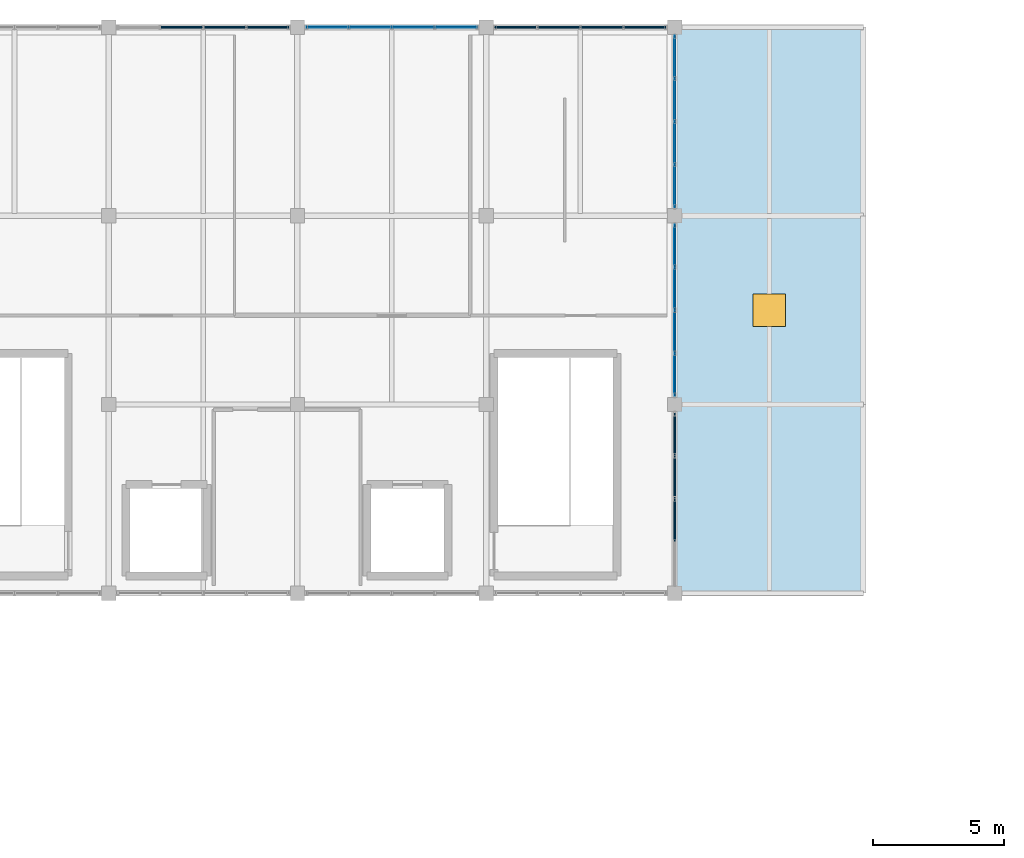
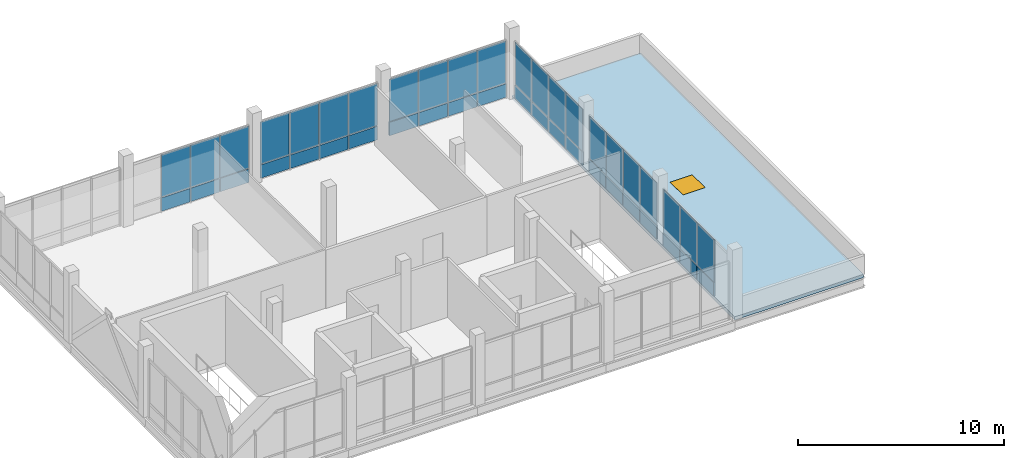
# One storey, part 17 of 28: 44 plates, 1 slab, 1 window, 1 opening, 6 elements without a shape of their own.
"""IFC4 building model written with IfcOpenShell, lengths in metres."""

import ifcopenshell
import ifcopenshell.guid

model = None  # the IFC model being written
_history = None  # IfcOwnerHistory: only IFC2X3 demands one
_inside = {}  # id of a spatial element -> (the spatial element, [elements in it])
_under = {}  # id of a project, library or spatial element -> (it, [spatial elements below it])
_declared = {}  # id of a project -> (the project, [libraries it declares])
_typed = {}  # id of a type object -> (the type object, [elements of that type])
_made_of = {}  # id of a material, layer set ... -> (it, [elements and type objects made of it])


def new_model(schema):
    """Start an empty IFC model of exactly this schema.

    Asked for "IFC4X3", IfcOpenShell would pick the latest addendum, in which some entities
    have other attributes; the version numbers below select the first issue.
    IFC2X3 requires an IfcOwnerHistory on every rooted entity: one is made here for all.
    """
    global model, _history
    if schema == "IFC4X3":
        model = ifcopenshell.file(schema_version=(4, 3, 0, 0))
    else:
        model = ifcopenshell.file(schema=schema)
    _inside.clear()
    _under.clear()
    _declared.clear()
    _typed.clear()
    _made_of.clear()
    _history = None
    if model.schema == "IFC2X3":
        org = make("IfcOrganization", Name="unknown")
        user = make(
            "IfcPersonAndOrganization",
            ThePerson=make("IfcPerson", FamilyName="unknown"),
            TheOrganization=org,
        )
        app = make(
            "IfcApplication",
            ApplicationDeveloper=org,
            Version="unknown",
            ApplicationFullName="unknown",
            ApplicationIdentifier="unknown",
        )
        _history = make(
            "IfcOwnerHistory",
            OwningUser=user,
            OwningApplication=app,
            ChangeAction="ADDED",
            CreationDate=0,
        )
    return model


def make(cls, **values):
    """One entity of the class cls with the attributes given. An attribute that is None is left unset."""
    return model.create_entity(
        cls, **{name: value for name, value in values.items() if value is not None}
    )


def rooted(cls, **values):
    """An entity with a GlobalId (a new one), such as an element, a storey or a relation."""
    return make(cls, GlobalId=ifcopenshell.guid.new(), OwnerHistory=_history, **values)


def si_unit(unit_type, name, prefix=None):
    """IfcSIUnit, for example si_unit("LENGTHUNIT", "METRE", prefix="MILLI")."""
    return make("IfcSIUnit", UnitType=unit_type, Prefix=prefix, Name=name)


def assignment(units):
    """IfcUnitAssignment: the units of a project."""
    return None if units is None else make("IfcUnitAssignment", Units=units)


def point(xyz):
    """IfcCartesianPoint."""
    return None if xyz is None else make("IfcCartesianPoint", Coordinates=xyz)


def direction(xyz):
    """IfcDirection."""
    return None if xyz is None else make("IfcDirection", DirectionRatios=xyz)


def frame(location, z_axis=None, x_axis=None):
    """IfcAxis2Placement3D, a coordinate frame: its origin and axes. An axis left out is left unset."""
    return make(
        "IfcAxis2Placement3D",
        Location=point(location),
        Axis=direction(z_axis),
        RefDirection=direction(x_axis),
    )


def frame_2d(location, x_axis=None):
    """IfcAxis2Placement2D, a coordinate frame in the plane: its origin and x axis."""
    return make(
        "IfcAxis2Placement2D", Location=point(location), RefDirection=direction(x_axis)
    )


def origin():
    """The frame at (0, 0, 0) with its axes left unset."""
    return frame((0.0, 0.0, 0.0))


def origin_2d():
    """The frame at (0, 0) in the plane with its x axis left unset."""
    return frame_2d((0.0, 0.0))


def place(relative_to, where):
    """IfcLocalPlacement: puts the frame where relative to a parent placement (None: the world)."""
    return make(
        "IfcLocalPlacement", PlacementRelTo=relative_to, RelativePlacement=where
    )


def context(
    kind, dimensions, precision=None, world=None, true_north=None, identifier=None
):
    """IfcGeometricRepresentationContext, for example the 3D "Model" context."""
    return make(
        "IfcGeometricRepresentationContext",
        ContextIdentifier=identifier,
        ContextType=kind,
        CoordinateSpaceDimension=dimensions,
        Precision=precision,
        WorldCoordinateSystem=world,
        TrueNorth=true_north,
    )


def subcontext(parent, identifier, kind, view, scale=None):
    """IfcGeometricRepresentationSubContext, for example "Body" below "Model"."""
    return make(
        "IfcGeometricRepresentationSubContext",
        ContextIdentifier=identifier,
        ContextType=kind,
        ParentContext=parent,
        TargetScale=scale,
        TargetView=view,
    )


def project(units=None, contexts=None):
    """IfcProject with its units and contexts."""
    return rooted(
        "IfcProject",
        Name="project",
        RepresentationContexts=contexts,
        UnitsInContext=assignment(units),
    )


def spatial(cls, under=None, at=None, **own):
    """A site, building, storey or space (cls), placed at a placement, below another one or the project."""
    s = rooted(cls, ObjectPlacement=at, **own)
    if under is not None:
        _under.setdefault(under.id(), (under, []))[1].append(s)
    return s


def polyline(points):
    """IfcPolyline through the points."""
    return make("IfcPolyline", Points=[point(p) for p in points])


def profile(cls, at=None, kind="AREA", **sizes):
    """A parametric profile (cls). Its sizes go by their IFC names, for example OverallWidth=200.0."""
    return make(cls, ProfileType=kind, Position=at, **sizes)


def rectangle(**sizes):
    """IfcRectangleProfileDef."""
    return profile("IfcRectangleProfileDef", **sizes)


def outline(outer, holes=None, kind="AREA"):
    """IfcArbitraryClosedProfileDef: a profile drawn as a closed curve; with holes, ...WithVoids."""
    if holes is None:
        return make("IfcArbitraryClosedProfileDef", ProfileType=kind, OuterCurve=outer)
    return make(
        "IfcArbitraryProfileDefWithVoids",
        ProfileType=kind,
        OuterCurve=outer,
        InnerCurves=holes,
    )


def extrude(swept, where, along, depth):
    """IfcExtrudedAreaSolid: the profile swept, set in the frame where, extruded along a direction by depth."""
    return make(
        "IfcExtrudedAreaSolid",
        SweptArea=swept,
        Position=where,
        ExtrudedDirection=direction(along),
        Depth=depth,
    )


def shape(context_of_items, identifier, shape_type, items):
    """IfcShapeRepresentation: the items that make up one representation, for example the "Body"."""
    return make(
        "IfcShapeRepresentation",
        ContextOfItems=context_of_items,
        RepresentationIdentifier=identifier,
        RepresentationType=shape_type,
        Items=items,
    )


def material(Name=None, Category=None):
    """IfcMaterial."""
    return make("IfcMaterial", Name=Name, Category=Category)


def layer(
    of_material, thickness, ventilated=None, Name=None, Category=None, Priority=None
):
    """IfcMaterialLayer: one layer of a wall or slab, of a material (None: an air gap)."""
    return make(
        "IfcMaterialLayer",
        Material=of_material,
        LayerThickness=thickness,
        IsVentilated=ventilated,
        Name=Name,
        Category=Category,
        Priority=Priority,
    )


def layer_set(layers, Name=None):
    """IfcMaterialLayerSet."""
    return make("IfcMaterialLayerSet", MaterialLayers=layers, LayerSetName=Name)


def made_of(thing, what):
    """Note that an element or type object is made of a material, layer set ...; save() writes the relation."""
    if what is not None:
        _made_of.setdefault(what.id(), (what, []))[1].append(thing)
    return thing


def type_object(cls, material=None, **own):
    """A type object (cls), such as IfcWallType, which elements share."""
    return made_of(rooted(cls, **own), material)


def element(
    cls,
    number,
    at=None,
    inside=None,
    cuts=None,
    type_object=None,
    material=None,
    context=None,
    identifier="Body",
    shape_type=None,
    held_by="IfcProductDefinitionShape",
    body=None,
    shapes=None,
    **own,
):
    """One element of the class cls, such as IfcWall. Its Tag is "e" and its number.

    at: its placement. inside: the storey or other place that contains it. cuts: it is an
    opening in that element (IfcRelVoidsElement). A single representation is given by context,
    identifier, shape_type and body (its items); several are given by shapes. held_by: the class
    of the entity that holds the representations. save() writes the other relations.
    """
    e = rooted(cls, Tag="e%d" % number, ObjectPlacement=at, **own)
    if body is not None:
        shapes = [shape(context, identifier, shape_type, body)]
    if shapes is not None:
        e.Representation = make(held_by, Representations=shapes)
    if inside is not None:
        _inside.setdefault(inside.id(), (inside, []))[1].append(e)
    if cuts is not None:
        rooted(
            "IfcRelVoidsElement", RelatingBuildingElement=cuts, RelatedOpeningElement=e
        )
    if type_object is not None:
        _typed.setdefault(type_object.id(), (type_object, []))[1].append(e)
    return made_of(e, material)


def fill(opening, filler):
    """IfcRelFillsElement: the door or window that sits in an opening."""
    return rooted(
        "IfcRelFillsElement",
        RelatingOpeningElement=opening,
        RelatedBuildingElement=filler,
    )


def aggregate(whole, parts):
    """IfcRelAggregates: a whole, such as a stair, and the parts it consists of."""
    return rooted("IfcRelAggregates", RelatingObject=whole, RelatedObjects=parts)


def save(model, path):
    """Write the relations noted so far, then the file.

    IfcRelAggregates (storeys below a building ...), IfcRelContainedInSpatialStructure (elements
    in a storey), IfcRelDefinesByType, IfcRelAssociatesMaterial and IfcRelDeclares: one each for
    every whole, place, type object, material and project.
    """
    for whole, parts in _under.values():
        aggregate(whole, parts)
    for where, things in _inside.values():
        rooted(
            "IfcRelContainedInSpatialStructure",
            RelatedElements=things,
            RelatingStructure=where,
        )
    for kind, things in _typed.values():
        rooted("IfcRelDefinesByType", RelatedObjects=things, RelatingType=kind)
    for what, things in _made_of.values():
        rooted("IfcRelAssociatesMaterial", RelatedObjects=things, RelatingMaterial=what)
    for by, libraries in _declared.values():
        rooted("IfcRelDeclares", RelatingContext=by, RelatedDefinitions=libraries)
    model.write(path)


model = new_model("IFC4")

# Units and contexts
model_context = context("Model", 3, precision=1e-05, world=origin(), true_north=direction((0.0, 1.0)))
body_context = subcontext(model_context, "Body", "Model", "MODEL_VIEW")
ifc_project = project(units=[si_unit("LENGTHUNIT", "METRE"), si_unit("AREAUNIT", "SQUARE_METRE"), si_unit("VOLUMEUNIT", "CUBIC_METRE"), si_unit("PLANEANGLEUNIT", "RADIAN"), si_unit("MASSUNIT", "GRAM", prefix="KILO")], contexts=[model_context])

# Site, building, storey
site_placement = place(None, origin())
site = spatial("IfcSite", under=ifc_project, at=site_placement, CompositionType="ELEMENT")
building_placement = place(site_placement, origin())
building = spatial("IfcBuilding", under=site, at=building_placement, Name="Yarey Park Central Fire Station", CompositionType="ELEMENT")
storey_placement = place(building_placement, frame((0.0, 0.0, 22.199951171875)))
storey = spatial("IfcBuildingStorey", under=building, at=storey_placement, Name="L06", CompositionType="ELEMENT", Elevation=22.199951171875)

# Curtain wall, plates
ifc_material_1 = material(Name="Anodized Aluminium Frame", Category="aluminium")
curtain_wall_type = type_object("IfcCurtainWallType", Name="ENV_CW_HQ_L06", PredefinedType="NOTDEFINED", material=ifc_material_1)
curtain_wall_1_placement = place(storey_placement, origin())
curtain_wall_1 = element("IfcCurtainWall", 1, at=curtain_wall_1_placement, inside=storey, type_object=curtain_wall_type, Name="CW_L06_V4_E_100", PredefinedType="NOTDEFINED")
ifc_material_2 = material(Name="Insulated Aluminium Spandrel Panel", Category="aluminium")
ifc_layer_1 = layer(ifc_material_2, 0.055908203125)
ifc_layer_set_1 = layer_set([ifc_layer_1], Name="Insulated Aluminium Spandrel Panel")
plate_type_1 = type_object("IfcPlateType", Name="ENV_PNL_SPN_01", PredefinedType="CURTAIN_PANEL", material=ifc_layer_set_1)
plate_1_placement = place(storey_placement, frame((144.0, 101.9326171875, 0.04248046875), z_axis=(0.0, 0.0, 1.0), x_axis=(0.0, 1.0, 0.0)))
plate_1 = element("IfcPlate", 2, at=plate_1_placement, type_object=plate_type_1, Name="CW_L06_V4_E_100_PNL01", PredefinedType="CURTAIN_PANEL", context=body_context, shape_type="SweptSolid", body=[
    extrude(rectangle(XDim=1.60498046875, YDim=0.055908203125, at=origin_2d()), origin(), (0.0, 0.0, 1.0), 0.7900390625),
])
plate_2_placement = place(storey_placement, frame((144.0, 103.577392578125, 0.04248046875), z_axis=(0.0, 0.0, 1.0), x_axis=(0.0, 1.0, 0.0)))
plate_2 = element("IfcPlate", 3, at=plate_2_placement, type_object=plate_type_1, Name="CW_L06_V4_E_100_PNL03", PredefinedType="CURTAIN_PANEL", context=body_context, shape_type="SweptSolid", body=[
    extrude(rectangle(XDim=1.60498046875, YDim=0.055908203125, at=origin_2d()), origin(), (0.0, 0.0, 1.0), 0.7900390625),
])
plate_3_placement = place(storey_placement, frame((144.0, 105.222412109375, 0.04248046875), z_axis=(0.0, 0.0, 1.0), x_axis=(0.0, 1.0, 0.0)))
plate_3 = element("IfcPlate", 4, at=plate_3_placement, type_object=plate_type_1, Name="CW_L06_V4_E_100_PNL05", PredefinedType="CURTAIN_PANEL", context=body_context, shape_type="SweptSolid", body=[
    extrude(rectangle(XDim=1.60498046875, YDim=0.055908203125, at=origin_2d()), origin(), (0.0, 0.0, 1.0), 0.7900390625),
])
plate_4_placement = place(storey_placement, frame((144.0, 106.867431640625, 0.04248046875), z_axis=(0.0, 0.0, 1.0), x_axis=(0.0, 1.0, 0.0)))
plate_4 = element("IfcPlate", 5, at=plate_4_placement, type_object=plate_type_1, Name="CW_L06_V4_E_100_PNL07", PredefinedType="CURTAIN_PANEL", context=body_context, shape_type="SweptSolid", body=[
    extrude(rectangle(XDim=1.60498046875, YDim=0.055908203125, at=origin_2d()), origin(), (0.0, 0.0, 1.0), 0.7900390625),
])

curtain_wall_2_placement = place(storey_placement, origin())
curtain_wall_2 = element("IfcCurtainWall", 6, at=curtain_wall_2_placement, inside=storey, type_object=curtain_wall_type, Name="CW_L06_V4_N_3", PredefinedType="NOTDEFINED")
ifc_layer_2 = layer(ifc_material_2, 0.068115234375)
ifc_layer_set_2 = layer_set([ifc_layer_2], Name="Insulated Aluminium Spandrel Panel")
plate_type_2 = type_object("IfcPlateType", Name="ENV_PNL_SPN_02", PredefinedType="CURTAIN_PANEL", material=ifc_layer_set_2)
plate_5_placement = place(storey_placement, frame((135.66748046875, 115.199951171875, 0.04248046875), z_axis=(0.0, 0.0, 1.0), x_axis=(-1.0, 0.0, 0.0)))
plate_5 = element("IfcPlate", 7, at=plate_5_placement, type_object=plate_type_2, Name="CW_L06_V4_N_3_PNL01", PredefinedType="CURTAIN_PANEL", context=body_context, shape_type="SweptSolid", body=[
    extrude(rectangle(XDim=1.60498046875, YDim=0.068115234375, at=origin_2d()), origin(), (0.0, 0.0, 1.0), 0.7900390625),
])
plate_6_placement = place(storey_placement, frame((134.0224609375, 115.199951171875, 0.04248046875), z_axis=(0.0, 0.0, 1.0), x_axis=(-1.0, 0.0, 0.0)))
plate_6 = element("IfcPlate", 8, at=plate_6_placement, type_object=plate_type_2, Name="CW_L06_V4_N_3_PNL03", PredefinedType="CURTAIN_PANEL", context=body_context, shape_type="SweptSolid", body=[
    extrude(rectangle(XDim=1.60498046875, YDim=0.068115234375, at=origin_2d()), origin(), (0.0, 0.0, 1.0), 0.7900390625),
])
plate_7_placement = place(storey_placement, frame((132.37744140625, 115.199951171875, 0.04248046875), z_axis=(0.0, 0.0, 1.0), x_axis=(-1.0, 0.0, 0.0)))
plate_7 = element("IfcPlate", 9, at=plate_7_placement, type_object=plate_type_2, Name="CW_L06_V4_N_3_PNL05", PredefinedType="CURTAIN_PANEL", context=body_context, shape_type="SweptSolid", body=[
    extrude(rectangle(XDim=1.60498046875, YDim=0.068115234375, at=origin_2d()), origin(), (0.0, 0.0, 1.0), 0.7900390625),
])
plate_8_placement = place(storey_placement, frame((130.732421875, 115.199951171875, 0.04248046875), z_axis=(0.0, 0.0, 1.0), x_axis=(-1.0, 0.0, 0.0)))
plate_8 = element("IfcPlate", 10, at=plate_8_placement, type_object=plate_type_2, Name="CW_L06_V4_N_3_PNL07", PredefinedType="CURTAIN_PANEL", context=body_context, shape_type="SweptSolid", body=[
    extrude(rectangle(XDim=1.60498046875, YDim=0.068115234375, at=origin_2d()), origin(), (0.0, 0.0, 1.0), 0.7900390625),
])

curtain_wall_3_placement = place(storey_placement, origin())
curtain_wall_3 = element("IfcCurtainWall", 11, at=curtain_wall_3_placement, inside=storey, type_object=curtain_wall_type, Name="CW_L06_V4_E_108", PredefinedType="NOTDEFINED")
plate_9_placement = place(storey_placement, frame((144.0, 109.132568359375, 0.04248046875), z_axis=(0.0, 0.0, 1.0), x_axis=(0.0, 1.0, 0.0)))
plate_9 = element("IfcPlate", 12, at=plate_9_placement, type_object=plate_type_2, Name="CW_L06_V4_E_108_PNL01", PredefinedType="CURTAIN_PANEL", context=body_context, shape_type="SweptSolid", body=[
    extrude(rectangle(XDim=1.60498046875, YDim=0.068115234375, at=origin_2d()), origin(), (0.0, 0.0, 1.0), 0.7900390625),
])
plate_10_placement = place(storey_placement, frame((144.0, 110.777587890625, 0.04248046875), z_axis=(0.0, 0.0, 1.0), x_axis=(0.0, 1.0, 0.0)))
plate_10 = element("IfcPlate", 13, at=plate_10_placement, type_object=plate_type_2, Name="CW_L06_V4_E_108_PNL03", PredefinedType="CURTAIN_PANEL", context=body_context, shape_type="SweptSolid", body=[
    extrude(rectangle(XDim=1.60498046875, YDim=0.068115234375, at=origin_2d()), origin(), (0.0, 0.0, 1.0), 0.7900390625),
])
plate_11_placement = place(storey_placement, frame((144.0, 112.422607421875, 0.04248046875), z_axis=(0.0, 0.0, 1.0), x_axis=(0.0, 1.0, 0.0)))
plate_11 = element("IfcPlate", 14, at=plate_11_placement, type_object=plate_type_2, Name="CW_L06_V4_E_108_PNL05", PredefinedType="CURTAIN_PANEL", context=body_context, shape_type="SweptSolid", body=[
    extrude(rectangle(XDim=1.60498046875, YDim=0.068115234375, at=origin_2d()), origin(), (0.0, 0.0, 1.0), 0.7900390625),
])
plate_12_placement = place(storey_placement, frame((144.0, 114.0673828125, 0.04248046875), z_axis=(0.0, 0.0, 1.0), x_axis=(0.0, 1.0, 0.0)))
plate_12 = element("IfcPlate", 15, at=plate_12_placement, type_object=plate_type_2, Name="CW_L06_V4_E_108_PNL07", PredefinedType="CURTAIN_PANEL", context=body_context, shape_type="SweptSolid", body=[
    extrude(rectangle(XDim=1.60498046875, YDim=0.068115234375, at=origin_2d()), origin(), (0.0, 0.0, 1.0), 0.7900390625),
])

curtain_wall_4_placement = place(storey_placement, origin())
curtain_wall_4 = element("IfcCurtainWall", 16, at=curtain_wall_4_placement, inside=storey, type_object=curtain_wall_type, Name="CW_L06_V4_N_2", PredefinedType="NOTDEFINED")
ifc_layer_3 = layer(ifc_material_2, 0.087890625)
ifc_layer_set_3 = layer_set([ifc_layer_3], Name="Insulated Aluminium Spandrel Panel")
plate_type_3 = type_object("IfcPlateType", Name="ENV_PNL_SPN_04", PredefinedType="CURTAIN_PANEL", material=ifc_layer_set_3)
plate_13_placement = place(storey_placement, frame((128.467529296875, 115.199951171875, 0.04248046875), z_axis=(0.0, 0.0, 1.0), x_axis=(-1.0, 0.0, 0.0)))
plate_13 = element("IfcPlate", 17, at=plate_13_placement, type_object=plate_type_3, Name="CW_L06_V4_N_2_PNL01", PredefinedType="CURTAIN_PANEL", context=body_context, shape_type="SweptSolid", body=[
    extrude(rectangle(XDim=1.60498046875, YDim=0.087890625, at=origin_2d()), origin(), (0.0, 0.0, 1.0), 0.7900390625),
])
plate_14_placement = place(storey_placement, frame((126.822509765625, 115.199951171875, 0.04248046875), z_axis=(0.0, 0.0, 1.0), x_axis=(-1.0, 0.0, 0.0)))
plate_14 = element("IfcPlate", 18, at=plate_14_placement, type_object=plate_type_3, Name="CW_L06_V4_N_2_PNL03", PredefinedType="CURTAIN_PANEL", context=body_context, shape_type="SweptSolid", body=[
    extrude(rectangle(XDim=1.60498046875, YDim=0.087890625, at=origin_2d()), origin(), (0.0, 0.0, 1.0), 0.7900390625),
])
plate_15_placement = place(storey_placement, frame((125.177490234375, 115.199951171875, 0.04248046875), z_axis=(0.0, 0.0, 1.0), x_axis=(-1.0, 0.0, 0.0)))
plate_15 = element("IfcPlate", 19, at=plate_15_placement, type_object=plate_type_3, Name="CW_L06_V4_N_2_PNL05", PredefinedType="CURTAIN_PANEL", context=body_context, shape_type="SweptSolid", body=[
    extrude(rectangle(XDim=1.60498046875, YDim=0.087890625, at=origin_2d()), origin(), (0.0, 0.0, 1.0), 0.7900390625),
])

curtain_wall_5_placement = place(storey_placement, origin())
curtain_wall_5 = element("IfcCurtainWall", 20, at=curtain_wall_5_placement, inside=storey, type_object=curtain_wall_type, Name="CW_L06_V4_N_4", PredefinedType="NOTDEFINED")
plate_16_placement = place(storey_placement, frame((142.867431640625, 115.199951171875, 0.04248046875), z_axis=(0.0, 0.0, 1.0), x_axis=(-1.0, 0.0, 0.0)))
plate_16 = element("IfcPlate", 21, at=plate_16_placement, type_object=plate_type_3, Name="CW_L06_V4_N_4_PNL01", PredefinedType="CURTAIN_PANEL", context=body_context, shape_type="SweptSolid", body=[
    extrude(rectangle(XDim=1.60498046875, YDim=0.087890625, at=origin_2d()), origin(), (0.0, 0.0, 1.0), 0.7900390625),
])
plate_17_placement = place(storey_placement, frame((141.222412109375, 115.199951171875, 0.04248046875), z_axis=(0.0, 0.0, 1.0), x_axis=(-1.0, 0.0, 0.0)))
plate_17 = element("IfcPlate", 22, at=plate_17_placement, type_object=plate_type_3, Name="CW_L06_V4_N_4_PNL03", PredefinedType="CURTAIN_PANEL", context=body_context, shape_type="SweptSolid", body=[
    extrude(rectangle(XDim=1.60498046875, YDim=0.087890625, at=origin_2d()), origin(), (0.0, 0.0, 1.0), 0.7900390625),
])
plate_18_placement = place(storey_placement, frame((139.577392578125, 115.199951171875, 0.04248046875), z_axis=(0.0, 0.0, 1.0), x_axis=(-1.0, 0.0, 0.0)))
plate_18 = element("IfcPlate", 23, at=plate_18_placement, type_object=plate_type_3, Name="CW_L06_V4_N_4_PNL05", PredefinedType="CURTAIN_PANEL", context=body_context, shape_type="SweptSolid", body=[
    extrude(rectangle(XDim=1.60498046875, YDim=0.087890625, at=origin_2d()), origin(), (0.0, 0.0, 1.0), 0.7900390625),
])
plate_19_placement = place(storey_placement, frame((137.9326171875, 115.199951171875, 0.04248046875), z_axis=(0.0, 0.0, 1.0), x_axis=(-1.0, 0.0, 0.0)))
plate_19 = element("IfcPlate", 24, at=plate_19_placement, type_object=plate_type_3, Name="CW_L06_V4_N_4_PNL07", PredefinedType="CURTAIN_PANEL", context=body_context, shape_type="SweptSolid", body=[
    extrude(rectangle(XDim=1.60498046875, YDim=0.087890625, at=origin_2d()), origin(), (0.0, 0.0, 1.0), 0.7900390625),
])

curtain_wall_6_placement = place(storey_placement, origin())
curtain_wall_6 = element("IfcCurtainWall", 25, at=curtain_wall_6_placement, inside=storey, type_object=curtain_wall_type, Name="CW_L06_V4_E_93", PredefinedType="NOTDEFINED")
plate_20_placement = place(storey_placement, frame((144.0, 96.37744140625, 0.04248046875), z_axis=(0.0, 0.0, 1.0), x_axis=(0.0, 1.0, 0.0)))
plate_20 = element("IfcPlate", 26, at=plate_20_placement, type_object=plate_type_3, Name="CW_L06_V4_E_93_PNL03", PredefinedType="CURTAIN_PANEL", context=body_context, shape_type="SweptSolid", body=[
    extrude(rectangle(XDim=1.60498046875, YDim=0.087890625, at=origin_2d()), origin(), (0.0, 0.0, 1.0), 0.7900390625),
])
plate_21_placement = place(storey_placement, frame((144.0, 98.0224609375, 0.04248046875), z_axis=(0.0, 0.0, 1.0), x_axis=(0.0, 1.0, 0.0)))
plate_21 = element("IfcPlate", 27, at=plate_21_placement, type_object=plate_type_3, Name="CW_L06_V4_E_93_PNL05", PredefinedType="CURTAIN_PANEL", context=body_context, shape_type="SweptSolid", body=[
    extrude(rectangle(XDim=1.60498046875, YDim=0.087890625, at=origin_2d()), origin(), (0.0, 0.0, 1.0), 0.7900390625),
])
plate_22_placement = place(storey_placement, frame((144.0, 99.66748046875, 0.04248046875), z_axis=(0.0, 0.0, 1.0), x_axis=(0.0, 1.0, 0.0)))
plate_22 = element("IfcPlate", 28, at=plate_22_placement, type_object=plate_type_3, Name="CW_L06_V4_E_93_PNL07", PredefinedType="CURTAIN_PANEL", context=body_context, shape_type="SweptSolid", body=[
    extrude(rectangle(XDim=1.60498046875, YDim=0.087890625, at=origin_2d()), origin(), (0.0, 0.0, 1.0), 0.7900390625),
])

# Plate
ifc_material_3 = material(Name="Laminated Hurricane Low-E Glass", Category="glass")
ifc_layer_4 = layer(ifc_material_3, 0.02392578125)
ifc_layer_set_4 = layer_set([ifc_layer_4], Name="Laminated Hurricane Low-E Glass")
plate_type_4 = type_object("IfcPlateType", Name="ENV_PNL_VIS_01", PredefinedType="CURTAIN_PANEL", material=ifc_layer_set_4)
plate_23_placement = place(storey_placement, frame((144.0, 101.9326171875, 0.86767578125), z_axis=(0.0, 0.0, 1.0), x_axis=(0.0, 1.0, 0.0)))
plate_23 = element("IfcPlate", 29, at=plate_23_placement, type_object=plate_type_4, Name="CW_L06_V4_E_100_PNL02", PredefinedType="CURTAIN_PANEL", context=body_context, shape_type="SweptSolid", body=[
    extrude(rectangle(XDim=1.60498046875, YDim=0.02392578125, at=origin_2d()), origin(), (0.0, 0.0, 1.0), 2.489990234375),
])

plate_24_placement = place(storey_placement, frame((144.0, 103.577392578125, 0.86767578125), z_axis=(0.0, 0.0, 1.0), x_axis=(0.0, 1.0, 0.0)))
plate_24 = element("IfcPlate", 30, at=plate_24_placement, type_object=plate_type_4, Name="CW_L06_V4_E_100_PNL04", PredefinedType="CURTAIN_PANEL", context=body_context, shape_type="SweptSolid", body=[
    extrude(rectangle(XDim=1.60498046875, YDim=0.02392578125, at=origin_2d()), origin(), (0.0, 0.0, 1.0), 2.489990234375),
])

plate_25_placement = place(storey_placement, frame((144.0, 105.222412109375, 0.86767578125), z_axis=(0.0, 0.0, 1.0), x_axis=(0.0, 1.0, 0.0)))
plate_25 = element("IfcPlate", 31, at=plate_25_placement, type_object=plate_type_4, Name="CW_L06_V4_E_100_PNL06", PredefinedType="CURTAIN_PANEL", context=body_context, shape_type="SweptSolid", body=[
    extrude(rectangle(XDim=1.60498046875, YDim=0.02392578125, at=origin_2d()), origin(), (0.0, 0.0, 1.0), 2.489990234375),
])

plate_26_placement = place(storey_placement, frame((144.0, 106.867431640625, 0.86767578125), z_axis=(0.0, 0.0, 1.0), x_axis=(0.0, 1.0, 0.0)))
plate_26 = element("IfcPlate", 32, at=plate_26_placement, type_object=plate_type_4, Name="CW_L06_V4_E_100_PNL08", PredefinedType="CURTAIN_PANEL", context=body_context, shape_type="SweptSolid", body=[
    extrude(rectangle(XDim=1.60498046875, YDim=0.02392578125, at=origin_2d()), origin(), (0.0, 0.0, 1.0), 2.489990234375),
])

aggregate(curtain_wall_1, [plate_1, plate_23, plate_2, plate_24, plate_3, plate_25, plate_4, plate_26])

ifc_layer_5 = layer(ifc_material_3, 0.031982421875)
ifc_layer_set_5 = layer_set([ifc_layer_5], Name="Laminated Hurricane Low-E Glass")
plate_type_5 = type_object("IfcPlateType", Name="ENV_PNL_VIS_02", PredefinedType="CURTAIN_PANEL", material=ifc_layer_set_5)
plate_27_placement = place(storey_placement, frame((135.66748046875, 115.199951171875, 0.86767578125), z_axis=(0.0, 0.0, 1.0), x_axis=(-1.0, 0.0, 0.0)))
plate_27 = element("IfcPlate", 33, at=plate_27_placement, type_object=plate_type_5, Name="CW_L06_V4_N_3_PNL02", PredefinedType="CURTAIN_PANEL", context=body_context, shape_type="SweptSolid", body=[
    extrude(rectangle(XDim=1.60498046875, YDim=0.031982421875, at=origin_2d()), origin(), (0.0, 0.0, 1.0), 2.489990234375),
])

plate_28_placement = place(storey_placement, frame((134.0224609375, 115.199951171875, 0.86767578125), z_axis=(0.0, 0.0, 1.0), x_axis=(-1.0, 0.0, 0.0)))
plate_28 = element("IfcPlate", 34, at=plate_28_placement, type_object=plate_type_5, Name="CW_L06_V4_N_3_PNL04", PredefinedType="CURTAIN_PANEL", context=body_context, shape_type="SweptSolid", body=[
    extrude(rectangle(XDim=1.60498046875, YDim=0.031982421875, at=origin_2d()), origin(), (0.0, 0.0, 1.0), 2.489990234375),
])

plate_29_placement = place(storey_placement, frame((132.37744140625, 115.199951171875, 0.86767578125), z_axis=(0.0, 0.0, 1.0), x_axis=(-1.0, 0.0, 0.0)))
plate_29 = element("IfcPlate", 35, at=plate_29_placement, type_object=plate_type_5, Name="CW_L06_V4_N_3_PNL06", PredefinedType="CURTAIN_PANEL", context=body_context, shape_type="SweptSolid", body=[
    extrude(rectangle(XDim=1.60498046875, YDim=0.031982421875, at=origin_2d()), origin(), (0.0, 0.0, 1.0), 2.489990234375),
])

plate_30_placement = place(storey_placement, frame((130.732421875, 115.199951171875, 0.86767578125), z_axis=(0.0, 0.0, 1.0), x_axis=(-1.0, 0.0, 0.0)))
plate_30 = element("IfcPlate", 36, at=plate_30_placement, type_object=plate_type_5, Name="CW_L06_V4_N_3_PNL08", PredefinedType="CURTAIN_PANEL", context=body_context, shape_type="SweptSolid", body=[
    extrude(rectangle(XDim=1.60498046875, YDim=0.031982421875, at=origin_2d()), origin(), (0.0, 0.0, 1.0), 2.489990234375),
])

aggregate(curtain_wall_2, [plate_5, plate_27, plate_6, plate_28, plate_7, plate_29, plate_8, plate_30])

plate_31_placement = place(storey_placement, frame((144.0, 109.132568359375, 0.86767578125), z_axis=(0.0, 0.0, 1.0), x_axis=(0.0, 1.0, 0.0)))
plate_31 = element("IfcPlate", 37, at=plate_31_placement, type_object=plate_type_5, Name="CW_L06_V4_E_108_PNL02", PredefinedType="CURTAIN_PANEL", context=body_context, shape_type="SweptSolid", body=[
    extrude(rectangle(XDim=1.60498046875, YDim=0.031982421875, at=origin_2d()), origin(), (0.0, 0.0, 1.0), 2.489990234375),
])

plate_32_placement = place(storey_placement, frame((144.0, 110.777587890625, 0.86767578125), z_axis=(0.0, 0.0, 1.0), x_axis=(0.0, 1.0, 0.0)))
plate_32 = element("IfcPlate", 38, at=plate_32_placement, type_object=plate_type_5, Name="CW_L06_V4_E_108_PNL04", PredefinedType="CURTAIN_PANEL", context=body_context, shape_type="SweptSolid", body=[
    extrude(rectangle(XDim=1.60498046875, YDim=0.031982421875, at=origin_2d()), origin(), (0.0, 0.0, 1.0), 2.489990234375),
])

plate_33_placement = place(storey_placement, frame((144.0, 112.422607421875, 0.86767578125), z_axis=(0.0, 0.0, 1.0), x_axis=(0.0, 1.0, 0.0)))
plate_33 = element("IfcPlate", 39, at=plate_33_placement, type_object=plate_type_5, Name="CW_L06_V4_E_108_PNL06", PredefinedType="CURTAIN_PANEL", context=body_context, shape_type="SweptSolid", body=[
    extrude(rectangle(XDim=1.60498046875, YDim=0.031982421875, at=origin_2d()), origin(), (0.0, 0.0, 1.0), 2.489990234375),
])

plate_34_placement = place(storey_placement, frame((144.0, 114.0673828125, 0.86767578125), z_axis=(0.0, 0.0, 1.0), x_axis=(0.0, 1.0, 0.0)))
plate_34 = element("IfcPlate", 40, at=plate_34_placement, type_object=plate_type_5, Name="CW_L06_V4_E_108_PNL08", PredefinedType="CURTAIN_PANEL", context=body_context, shape_type="SweptSolid", body=[
    extrude(rectangle(XDim=1.60498046875, YDim=0.031982421875, at=origin_2d()), origin(), (0.0, 0.0, 1.0), 2.489990234375),
])

aggregate(curtain_wall_3, [plate_9, plate_31, plate_10, plate_32, plate_11, plate_33, plate_12, plate_34])

ifc_layer_6 = layer(ifc_material_3, 0.0458984375)
ifc_layer_set_6 = layer_set([ifc_layer_6], Name="Laminated Hurricane Low-E Glass")
plate_type_6 = type_object("IfcPlateType", Name="ENV_PNL_VIS_04", PredefinedType="CURTAIN_PANEL", material=ifc_layer_set_6)
plate_35_placement = place(storey_placement, frame((128.467529296875, 115.199951171875, 0.86767578125), z_axis=(0.0, 0.0, 1.0), x_axis=(-1.0, 0.0, 0.0)))
plate_35 = element("IfcPlate", 41, at=plate_35_placement, type_object=plate_type_6, Name="CW_L06_V4_N_2_PNL02", PredefinedType="CURTAIN_PANEL", context=body_context, shape_type="SweptSolid", body=[
    extrude(rectangle(XDim=1.60498046875, YDim=0.0458984375, at=origin_2d()), origin(), (0.0, 0.0, 1.0), 2.489990234375),
])

plate_36_placement = place(storey_placement, frame((126.822509765625, 115.199951171875, 0.86767578125), z_axis=(0.0, 0.0, 1.0), x_axis=(-1.0, 0.0, 0.0)))
plate_36 = element("IfcPlate", 42, at=plate_36_placement, type_object=plate_type_6, Name="CW_L06_V4_N_2_PNL04", PredefinedType="CURTAIN_PANEL", context=body_context, shape_type="SweptSolid", body=[
    extrude(rectangle(XDim=1.60498046875, YDim=0.0458984375, at=origin_2d()), origin(), (0.0, 0.0, 1.0), 2.489990234375),
])

plate_37_placement = place(storey_placement, frame((125.177490234375, 115.199951171875, 0.86767578125), z_axis=(0.0, 0.0, 1.0), x_axis=(-1.0, 0.0, 0.0)))
plate_37 = element("IfcPlate", 43, at=plate_37_placement, type_object=plate_type_6, Name="CW_L06_V4_N_2_PNL06", PredefinedType="CURTAIN_PANEL", context=body_context, shape_type="SweptSolid", body=[
    extrude(rectangle(XDim=1.60498046875, YDim=0.0458984375, at=origin_2d()), origin(), (0.0, 0.0, 1.0), 2.489990234375),
])

aggregate(curtain_wall_4, [plate_13, plate_35, plate_14, plate_36, plate_15, plate_37])

plate_38_placement = place(storey_placement, frame((142.867431640625, 115.199951171875, 0.86767578125), z_axis=(0.0, 0.0, 1.0), x_axis=(-1.0, 0.0, 0.0)))
plate_38 = element("IfcPlate", 44, at=plate_38_placement, type_object=plate_type_6, Name="CW_L06_V4_N_4_PNL02", PredefinedType="CURTAIN_PANEL", context=body_context, shape_type="SweptSolid", body=[
    extrude(rectangle(XDim=1.60498046875, YDim=0.0458984375, at=origin_2d()), origin(), (0.0, 0.0, 1.0), 2.489990234375),
])

plate_39_placement = place(storey_placement, frame((141.222412109375, 115.199951171875, 0.86767578125), z_axis=(0.0, 0.0, 1.0), x_axis=(-1.0, 0.0, 0.0)))
plate_39 = element("IfcPlate", 45, at=plate_39_placement, type_object=plate_type_6, Name="CW_L06_V4_N_4_PNL04", PredefinedType="CURTAIN_PANEL", context=body_context, shape_type="SweptSolid", body=[
    extrude(rectangle(XDim=1.60498046875, YDim=0.0458984375, at=origin_2d()), origin(), (0.0, 0.0, 1.0), 2.489990234375),
])

plate_40_placement = place(storey_placement, frame((139.577392578125, 115.199951171875, 0.86767578125), z_axis=(0.0, 0.0, 1.0), x_axis=(-1.0, 0.0, 0.0)))
plate_40 = element("IfcPlate", 46, at=plate_40_placement, type_object=plate_type_6, Name="CW_L06_V4_N_4_PNL06", PredefinedType="CURTAIN_PANEL", context=body_context, shape_type="SweptSolid", body=[
    extrude(rectangle(XDim=1.60498046875, YDim=0.0458984375, at=origin_2d()), origin(), (0.0, 0.0, 1.0), 2.489990234375),
])

plate_41_placement = place(storey_placement, frame((137.9326171875, 115.199951171875, 0.86767578125), z_axis=(0.0, 0.0, 1.0), x_axis=(-1.0, 0.0, 0.0)))
plate_41 = element("IfcPlate", 47, at=plate_41_placement, type_object=plate_type_6, Name="CW_L06_V4_N_4_PNL08", PredefinedType="CURTAIN_PANEL", context=body_context, shape_type="SweptSolid", body=[
    extrude(rectangle(XDim=1.60498046875, YDim=0.0458984375, at=origin_2d()), origin(), (0.0, 0.0, 1.0), 2.489990234375),
])

aggregate(curtain_wall_5, [plate_16, plate_38, plate_17, plate_39, plate_18, plate_40, plate_19, plate_41])

plate_42_placement = place(storey_placement, frame((144.0, 96.37744140625, 0.86767578125), z_axis=(0.0, 0.0, 1.0), x_axis=(0.0, 1.0, 0.0)))
plate_42 = element("IfcPlate", 48, at=plate_42_placement, type_object=plate_type_6, Name="CW_L06_V4_E_93_PNL04", PredefinedType="CURTAIN_PANEL", context=body_context, shape_type="SweptSolid", body=[
    extrude(rectangle(XDim=1.60498046875, YDim=0.0458984375, at=origin_2d()), origin(), (0.0, 0.0, 1.0), 2.489990234375),
])

plate_43_placement = place(storey_placement, frame((144.0, 98.0224609375, 0.86767578125), z_axis=(0.0, 0.0, 1.0), x_axis=(0.0, 1.0, 0.0)))
plate_43 = element("IfcPlate", 49, at=plate_43_placement, type_object=plate_type_6, Name="CW_L06_V4_E_93_PNL06", PredefinedType="CURTAIN_PANEL", context=body_context, shape_type="SweptSolid", body=[
    extrude(rectangle(XDim=1.60498046875, YDim=0.0458984375, at=origin_2d()), origin(), (0.0, 0.0, 1.0), 2.489990234375),
])

plate_44_placement = place(storey_placement, frame((144.0, 99.66748046875, 0.86767578125), z_axis=(0.0, 0.0, 1.0), x_axis=(0.0, 1.0, 0.0)))
plate_44 = element("IfcPlate", 50, at=plate_44_placement, type_object=plate_type_6, Name="CW_L06_V4_E_93_PNL08", PredefinedType="CURTAIN_PANEL", context=body_context, shape_type="SweptSolid", body=[
    extrude(rectangle(XDim=1.60498046875, YDim=0.0458984375, at=origin_2d()), origin(), (0.0, 0.0, 1.0), 2.489990234375),
])

aggregate(curtain_wall_6, [plate_20, plate_42, plate_21, plate_43, plate_22, plate_44])

# Slab, opening, window
ifc_material_4 = material(Name="Concrete C40/50", Category="concrete")
ifc_layer_7 = layer(ifc_material_4, 0.195068359375)
ifc_layer_set_7 = layer_set([ifc_layer_7], Name="Concrete C40/50")
slab_type = type_object("IfcSlabType", Name="STR_ROOF_FLAT195", PredefinedType="ROOF", material=ifc_layer_set_7)
slab_placement = place(storey_placement, frame((0.0, 0.0, -0.195068359375)))
slab = element("IfcSlab", 51, at=slab_placement, inside=storey, type_object=slab_type, Name="ROOF_L06_V4_STEP", PredefinedType="ROOF", context=body_context, shape_type="SweptSolid", body=[
    extrude(outline(polyline([(144.0, 93.60009765625), (151.199951171875, 93.60009765625), (151.199951171875, 115.199951171875), (144.0, 115.199951171875), (144.0, 93.60009765625)]), holes=[polyline([(147.300048828125, 104.199951171875), (147.89990234375, 104.199951171875), (147.89990234375, 104.60009765625), (147.300048828125, 104.60009765625), (147.300048828125, 104.199951171875)])]), origin(), (0.0, 0.0, 1.0), 0.195068359375),
])
opening_placement = place(slab_placement, frame((147.60009765625, 104.39990234375, -0.010009765625)))
opening = element("IfcOpeningElement", 52, at=opening_placement, cuts=slab, Name="Opening SK-11", PredefinedType="OPENING", context=body_context, shape_type="SweptSolid", body=[
    extrude(rectangle(XDim=1.239990234375, YDim=1.239990234375, at=origin_2d()), origin(), (0.0, 0.0, 1.0), 0.215087890625),
])
ifc_material_5 = material(Name="Galvanized Hollow Metal Door", Category="metal")
window_type = type_object("IfcWindowType", Name="ENV_SKY_11", PartitioningType="SINGLE_PANEL", PredefinedType="SKYLIGHT", material=ifc_material_5)
window_placement = place(slab_placement, frame((147.60009765625, 104.39990234375, 0.14501953125)))
window = element("IfcWindow", 53, at=window_placement, inside=storey, type_object=window_type, Name="SKY_L06_STEP_1", OverallHeight=1.239990234375, OverallWidth=1.239990234375, PartitioningType="SINGLE_PANEL", PredefinedType="SKYLIGHT", context=body_context, shape_type="SweptSolid", body=[
    extrude(rectangle(XDim=1.239990234375, YDim=1.239990234375, at=origin_2d()), origin(), (0.0, 0.0, 1.0), 0.050048828125),
])
fill(opening, window)

save(model, "model.ifc")
